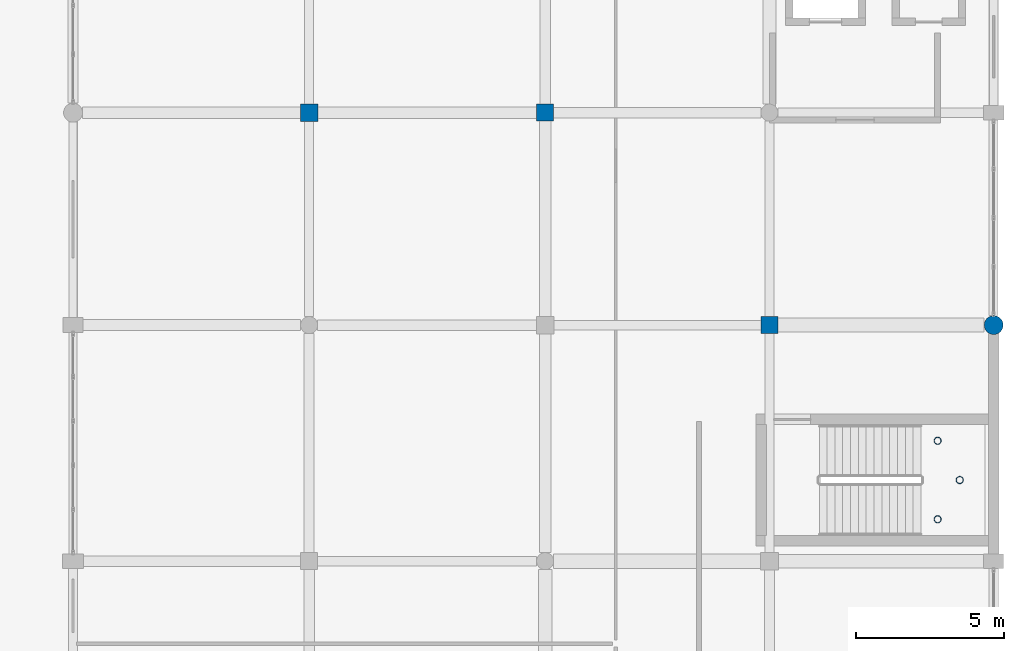
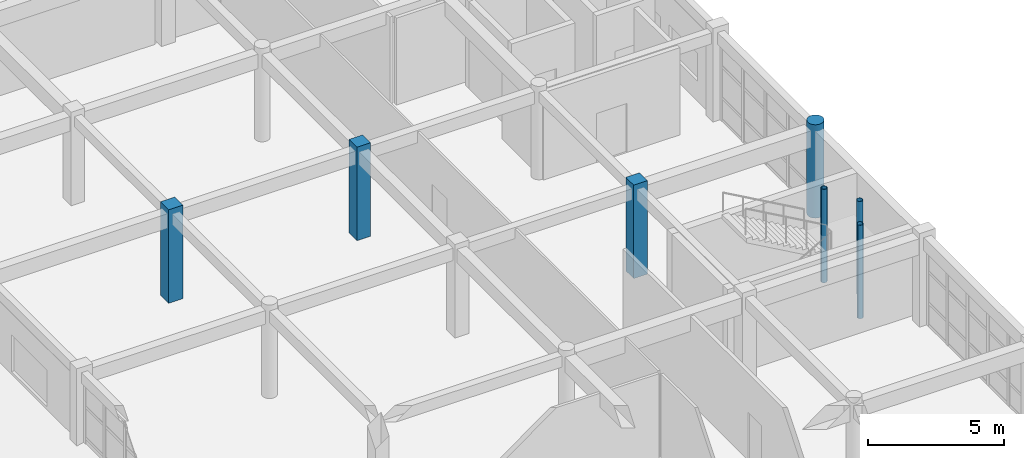
# One storey, part 6 of 121: 7 columns.
"""IFC4 building model written with IfcOpenShell, lengths in metres."""

from ifc_helpers import new_model, si_unit, direction, frame, origin, origin_2d, place, context, subcontext, project, spatial, rectangle, circle, hollow_circle, extrude, material, material_profile, profile_set, type_object, element, save


model = new_model("IFC4")

# Units and contexts
model_context = context("Model", 3, precision=1e-05, world=origin(), true_north=direction((0.0, 1.0)))
body_context = subcontext(model_context, "Body", "Model", "MODEL_VIEW")
ifc_project = project(units=[si_unit("LENGTHUNIT", "METRE"), si_unit("AREAUNIT", "SQUARE_METRE"), si_unit("VOLUMEUNIT", "CUBIC_METRE"), si_unit("PLANEANGLEUNIT", "RADIAN"), si_unit("MASSUNIT", "GRAM", prefix="KILO")], contexts=[model_context])

# Site, building, storey
site_placement = place(None, origin())
site = spatial("IfcSite", under=ifc_project, at=site_placement, CompositionType="ELEMENT")
building_placement = place(site_placement, origin())
building = spatial("IfcBuilding", under=site, at=building_placement, Name="Kharva Crest Polytechnic", CompositionType="ELEMENT")
storey_placement = place(building_placement, frame((0.0, 0.0, 13.199951171875)))
storey = spatial("IfcBuildingStorey", under=building, at=storey_placement, Name="L03", CompositionType="ELEMENT", Elevation=13.199951171875)

# Columns
ifc_material_1 = material(Name="Concrete C40/50", Category="concrete")
ifc_material_profile_1 = material_profile(ifc_material_1, circle(Radius=0.320068359375, at=origin_2d()), Name="DIA 640")
ifc_profile_set_1 = profile_set([ifc_material_profile_1], Name="Concrete C40/50")
column_type_1 = type_object("IfcColumnType", Name="COL-EXT-DIA640", PredefinedType="COLUMN", material=ifc_profile_set_1)
column_1_placement = place(storey_placement, frame((184.0, 78.800048828125, 0.0), z_axis=(0.0, 0.0, 1.0), x_axis=(1.0, 0.0, 0.0)))
element("IfcColumn", 1, at=column_1_placement, inside=storey, type_object=column_type_1, Name="L03 Column 24/L", PredefinedType="COLUMN", context=body_context, shape_type="SweptSolid", body=[
    extrude(circle(Radius=0.320068359375, at=origin_2d()), origin(), (0.0, 0.0, 1.0), 4.199951171875),
])
ifc_material_profile_2 = material_profile(ifc_material_1, rectangle(XDim=0.580078125, YDim=0.580078125, at=origin_2d()), Name="RECT 580 X 580")
ifc_profile_set_2 = profile_set([ifc_material_profile_2], Name="Concrete C40/50")
column_type_2 = type_object("IfcColumnType", Name="COL-INT-580X580", PredefinedType="COLUMN", material=ifc_profile_set_2)
for number, where, z_axis, x_axis, name in (
    (2, (168.800048828125, 86.0, 0.0), (0.0, 0.0, 1.0), (1.0, 0.0, 0.0), "L03 Column 22/M"),
    (3, (176.39990234375, 78.800048828125, 0.0), (0.0, 0.0, 1.0), (1.0, 0.0, 0.0), "L03 Column 23/L"),
):
    element("IfcColumn", number, at=place(storey_placement, frame(where, z_axis=z_axis, x_axis=x_axis)), inside=storey, type_object=column_type_2, Name=name, PredefinedType="COLUMN", context=body_context, shape_type="SweptSolid", body=[
        extrude(rectangle(XDim=0.580078125, YDim=0.580078125, at=origin_2d()), origin(), (0.0, 0.0, 1.0), 4.199951171875),
    ])
ifc_material_profile_3 = material_profile(ifc_material_1, rectangle(XDim=0.60009765625, YDim=0.60009765625, at=origin_2d()), Name="RECT 600 X 600")
ifc_profile_set_3 = profile_set([ifc_material_profile_3], Name="Concrete C40/50")
column_type_3 = type_object("IfcColumnType", Name="COL-INT-600X600", PredefinedType="COLUMN", material=ifc_profile_set_3)
column_2_placement = place(storey_placement, frame((160.800048828125, 86.0, 0.0), z_axis=(0.0, 0.0, 1.0), x_axis=(1.0, 0.0, 0.0)))
element("IfcColumn", 4, at=column_2_placement, inside=storey, type_object=column_type_3, Name="L03 Column 21/M", PredefinedType="COLUMN", context=body_context, shape_type="SweptSolid", body=[
    extrude(rectangle(XDim=0.60009765625, YDim=0.60009765625, at=origin_2d()), origin(), (0.0, 0.0, 1.0), 4.199951171875),
])
ifc_material_2 = material(Name="Steel S355", Category="steel")
ifc_material_profile_4 = material_profile(ifc_material_2, hollow_circle(Radius=0.122314453125, WallThickness=0.010009765625, at=origin_2d()), Name="CHS 244.5X10.0")
ifc_profile_set_4 = profile_set([ifc_material_profile_4], Name="Steel S355")
column_type_4 = type_object("IfcColumnType", Name="COL-STL-CHS244", PredefinedType="COLUMN", material=ifc_profile_set_4)
for number, where, z_axis, x_axis, name in (
    (5, (182.10009765625, 72.219970703125, 0.0), (0.0, 0.0, 1.0), (1.0, 0.0, 0.0), "L03 Stair ST-05 Landing Support Column SW"),
    (6, (182.10009765625, 74.8798828125, 0.0), (0.0, 0.0, 1.0), (1.0, 0.0, 0.0), "L03 Stair ST-05 Landing Support Column NW"),
    (7, (182.85009765625, 73.550048828125, 0.0), (0.0, 0.0, 1.0), (1.0, 0.0, 0.0), "L03 Stair ST-05 Landing Support Column EM"),
):
    element("IfcColumn", number, at=place(storey_placement, frame(where, z_axis=z_axis, x_axis=x_axis)), inside=storey, type_object=column_type_4, Name=name, PredefinedType="COLUMN", context=body_context, shape_type="SweptSolid", body=[
        extrude(hollow_circle(Radius=0.122314453125, WallThickness=0.010009765625, at=origin_2d()), origin(), (0.0, 0.0, 1.0), 4.199951171875),
    ])

save(model, "model.ifc")
